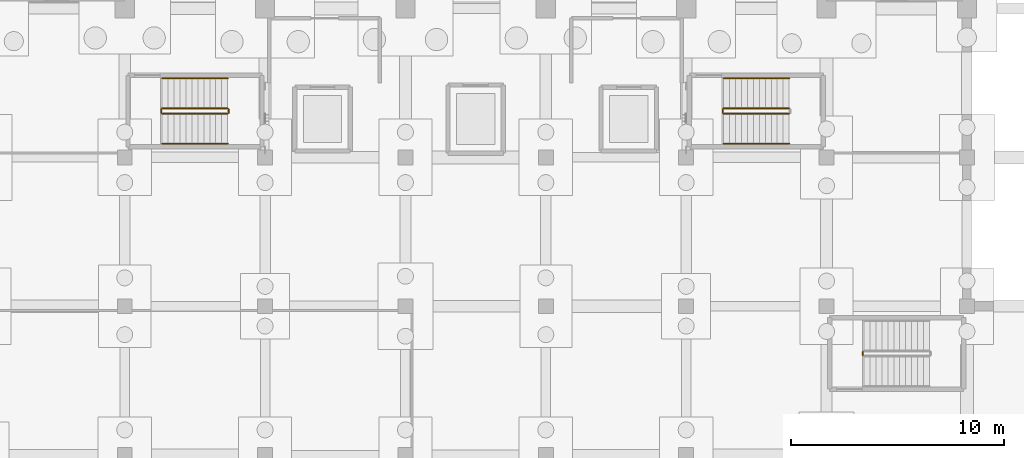
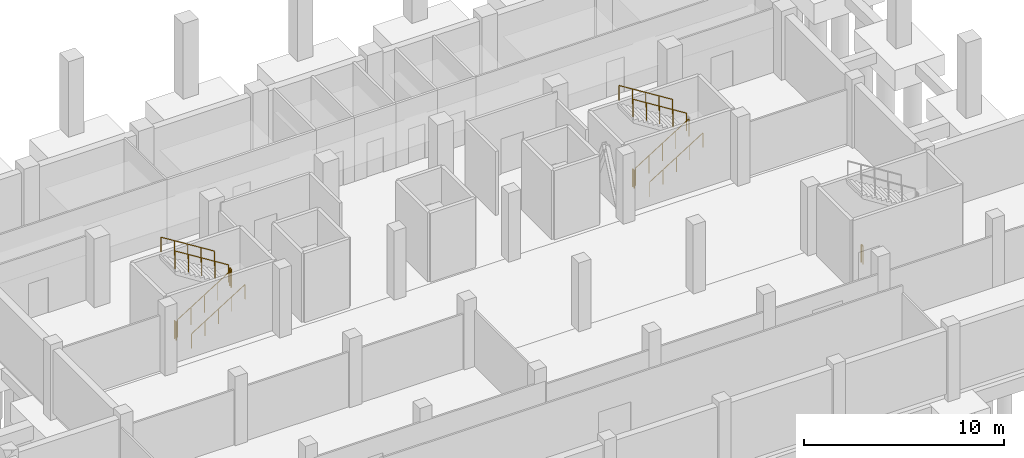
# One storey, part 24 of 27: 12 railings.
"""IFC4 building model written with IfcOpenShell, lengths in metres."""

from ifc_helpers import new_model, si_unit, direction, frame, origin, origin_2d, place, context, subcontext, project, spatial, circle, extrude, material, type_object, element, save


model = new_model("IFC4")

# Units and contexts
model_context = context("Model", 3, precision=1e-05, world=origin(), true_north=direction((0.0, 1.0)))
body_context = subcontext(model_context, "Body", "Model", "MODEL_VIEW")
ifc_project = project(units=[si_unit("LENGTHUNIT", "METRE"), si_unit("AREAUNIT", "SQUARE_METRE"), si_unit("VOLUMEUNIT", "CUBIC_METRE"), si_unit("PLANEANGLEUNIT", "RADIAN"), si_unit("MASSUNIT", "GRAM", prefix="KILO")], contexts=[model_context])

# Site, building, storey
site_placement = place(None, origin())
site = spatial("IfcSite", under=ifc_project, at=site_placement, CompositionType="ELEMENT")
building_placement = place(site_placement, origin())
building = spatial("IfcBuilding", under=site, at=building_placement, Name="Ciguamira Faculty of Natural Sciences", CompositionType="ELEMENT")
storey_placement = place(building_placement, frame((0.0, 0.0, -4.199951171875)))
storey = spatial("IfcBuildingStorey", under=building, at=storey_placement, Name="B1", CompositionType="ELEMENT", Elevation=-4.199951171875)

# Railings
ifc_material_1 = material(Name="Stainless steel balustrade", Category="steel")
railing_type_1 = type_object("IfcRailingType", Name="Guardrail_GR01", PredefinedType="GUARDRAIL", material=ifc_material_1)
railing_1_placement = place(storey_placement, frame((72.260009765625, 96.050048828125, 0.175048828125)))
element("IfcRailing", 1, at=railing_1_placement, inside=storey, type_object=railing_type_1, Name="B1 ST-T1 stair guard 1", PredefinedType="GUARDRAIL", context=body_context, shape_type="SweptSolid", body=[
    extrude(circle(Radius=0.02392578125, at=origin_2d()), frame((0.0, 0.0, 1.076171875), z_axis=(0.848028513186, 0.0, 0.529950602248), x_axis=(0.0, 1.0, 0.0)), (0.0, 0.0, 1.0), 3.632080078125),
    extrude(circle(Radius=0.02099609375, at=origin_2d()), origin(), (0.0, 0.0, 1.0), 1.052001953125),
    extrude(circle(Radius=0.02099609375, at=origin_2d()), frame((0.77001953125, 0.0, 0.481201171875)), (0.0, 0.0, 1.0), 1.052001953125),
    extrude(circle(Radius=0.02099609375, at=origin_2d()), frame((1.5400390625, 0.0, 0.96240234375)), (0.0, 0.0, 1.0), 1.052001953125),
    extrude(circle(Radius=0.02099609375, at=origin_2d()), frame((2.31005859375, 0.0, 1.443603515625)), (0.0, 0.0, 1.0), 1.052001953125),
    extrude(circle(Radius=0.02099609375, at=origin_2d()), frame((3.080078125, 0.0, 1.9248046875)), (0.0, 0.0, 1.0), 1.052001953125),
])
railing_2_placement = place(storey_placement, frame((75.389892578125, 96.10009765625, 2.099853515625)))
element("IfcRailing", 2, at=railing_2_placement, inside=storey, type_object=railing_type_1, Name="B1 ST-T1 stair guard 2", PredefinedType="GUARDRAIL", context=body_context, shape_type="SweptSolid", body=[
    extrude(circle(Radius=0.02392578125, at=origin_2d()), frame((0.0, 0.0, 1.076171875), z_axis=(0.0, 1.0, 0.0), x_axis=(-1.0, 0.0, 0.0)), (0.0, 0.0, 1.0), 0.159912109375),
    extrude(circle(Radius=0.02099609375, at=origin_2d()), origin(), (0.0, 0.0, 1.0), 1.052001953125),
    extrude(circle(Radius=0.02099609375, at=origin_2d()), frame((0.0, 0.159912109375, 0.0)), (0.0, 0.0, 1.0), 1.052001953125),
])
railing_3_placement = place(storey_placement, frame((75.340087890625, 96.31005859375, 2.27490234375)))
element("IfcRailing", 3, at=railing_3_placement, inside=storey, type_object=railing_type_1, Name="B1 ST-T1 stair guard 3", PredefinedType="GUARDRAIL", context=body_context, shape_type="SweptSolid", body=[
    extrude(circle(Radius=0.02392578125, at=origin_2d()), frame((0.0, 0.0, 1.076171875), z_axis=(-0.847998304005, 0.0, 0.529998940003), x_axis=(0.0, -1.0, 0.0)), (0.0, 0.0, 1.0), 3.632080078125),
    extrude(circle(Radius=0.02099609375, at=origin_2d()), origin(), (0.0, 0.0, 1.0), 1.052001953125),
    extrude(circle(Radius=0.02099609375, at=origin_2d()), frame((-0.77001953125, 0.0, 0.481201171875)), (0.0, 0.0, 1.0), 1.052001953125),
    extrude(circle(Radius=0.02099609375, at=origin_2d()), frame((-1.5400390625, 0.0, 0.96240234375)), (0.0, 0.0, 1.0), 1.052001953125),
    extrude(circle(Radius=0.02099609375, at=origin_2d()), frame((-2.31005859375, 0.0, 1.44384765625)), (0.0, 0.0, 1.0), 1.052001953125),
    extrude(circle(Radius=0.02099609375, at=origin_2d()), frame((-3.080078125, 0.0, 1.925048828125)), (0.0, 0.0, 1.0), 1.052001953125),
])
railing_4_placement = place(storey_placement, frame((72.2099609375, 96.10009765625, 0.0)))
element("IfcRailing", 4, at=railing_4_placement, inside=storey, type_object=railing_type_1, Name="B1 ST-T1 stair guard 4", PredefinedType="GUARDRAIL", context=body_context, shape_type="SweptSolid", body=[
    extrude(circle(Radius=0.02392578125, at=origin_2d()), frame((0.0, 0.0, 1.076171875), z_axis=(0.0, 1.0, 0.0), x_axis=(-1.0, 0.0, 0.0)), (0.0, 0.0, 1.0), 0.159912109375),
    extrude(circle(Radius=0.02099609375, at=origin_2d()), origin(), (0.0, 0.0, 1.0), 1.052001953125),
    extrude(circle(Radius=0.02099609375, at=origin_2d()), frame((0.0, 0.159912109375, 0.0)), (0.0, 0.0, 1.0), 1.052001953125),
])
railing_5_placement = place(storey_placement, frame((98.659912109375, 96.050048828125, 0.175048828125)))
element("IfcRailing", 5, at=railing_5_placement, inside=storey, type_object=railing_type_1, Name="B1 ST-T2 stair guard 1", PredefinedType="GUARDRAIL", context=body_context, shape_type="SweptSolid", body=[
    extrude(circle(Radius=0.02392578125, at=origin_2d()), frame((0.0, 0.0, 1.076171875), z_axis=(0.848028513186, 0.0, 0.529950602248), x_axis=(0.0, 1.0, 0.0)), (0.0, 0.0, 1.0), 3.632080078125),
    extrude(circle(Radius=0.02099609375, at=origin_2d()), origin(), (0.0, 0.0, 1.0), 1.052001953125),
    extrude(circle(Radius=0.02099609375, at=origin_2d()), frame((0.77001953125, 0.0, 0.481201171875)), (0.0, 0.0, 1.0), 1.052001953125),
    extrude(circle(Radius=0.02099609375, at=origin_2d()), frame((1.5400390625, 0.0, 0.96240234375)), (0.0, 0.0, 1.0), 1.052001953125),
    extrude(circle(Radius=0.02099609375, at=origin_2d()), frame((2.31005859375, 0.0, 1.443603515625)), (0.0, 0.0, 1.0), 1.052001953125),
    extrude(circle(Radius=0.02099609375, at=origin_2d()), frame((3.080078125, 0.0, 1.9248046875)), (0.0, 0.0, 1.0), 1.052001953125),
])
railing_6_placement = place(storey_placement, frame((101.739990234375, 96.31005859375, 2.27490234375)))
element("IfcRailing", 6, at=railing_6_placement, inside=storey, type_object=railing_type_1, Name="B1 ST-T2 stair guard 3", PredefinedType="GUARDRAIL", context=body_context, shape_type="SweptSolid", body=[
    extrude(circle(Radius=0.02392578125, at=origin_2d()), frame((0.0, 0.0, 1.076171875), z_axis=(-0.847998304005, 0.0, 0.529998940003), x_axis=(0.0, -1.0, 0.0)), (0.0, 0.0, 1.0), 3.632080078125),
    extrude(circle(Radius=0.02099609375, at=origin_2d()), origin(), (0.0, 0.0, 1.0), 1.052001953125),
    extrude(circle(Radius=0.02099609375, at=origin_2d()), frame((-0.77001953125, 0.0, 0.481201171875)), (0.0, 0.0, 1.0), 1.052001953125),
    extrude(circle(Radius=0.02099609375, at=origin_2d()), frame((-1.5400390625, 0.0, 0.96240234375)), (0.0, 0.0, 1.0), 1.052001953125),
    extrude(circle(Radius=0.02099609375, at=origin_2d()), frame((-2.31005859375, 0.0, 1.44384765625)), (0.0, 0.0, 1.0), 1.052001953125),
    extrude(circle(Radius=0.02099609375, at=origin_2d()), frame((-3.080078125, 0.0, 1.925048828125)), (0.0, 0.0, 1.0), 1.052001953125),
])
railing_7_placement = place(storey_placement, frame((98.610107421875, 96.10009765625, 0.0)))
element("IfcRailing", 7, at=railing_7_placement, inside=storey, type_object=railing_type_1, Name="B1 ST-T2 stair guard 4", PredefinedType="GUARDRAIL", context=body_context, shape_type="SweptSolid", body=[
    extrude(circle(Radius=0.02392578125, at=origin_2d()), frame((0.0, 0.0, 1.076171875), z_axis=(0.0, 1.0, 0.0), x_axis=(-1.0, 0.0, 0.0)), (0.0, 0.0, 1.0), 0.159912109375),
    extrude(circle(Radius=0.02099609375, at=origin_2d()), origin(), (0.0, 0.0, 1.0), 1.052001953125),
    extrude(circle(Radius=0.02099609375, at=origin_2d()), frame((0.0, 0.159912109375, 0.0)), (0.0, 0.0, 1.0), 1.052001953125),
])
railing_8_placement = place(storey_placement, frame((105.2099609375, 84.699951171875, 0.0)))
element("IfcRailing", 8, at=railing_8_placement, inside=storey, type_object=railing_type_1, Name="B1 ST-W2 stair guard 4", PredefinedType="GUARDRAIL", context=body_context, shape_type="SweptSolid", body=[
    extrude(circle(Radius=0.02392578125, at=origin_2d()), frame((0.0, 0.0, 1.076171875), z_axis=(0.0, 1.0, 0.0), x_axis=(-1.0, 0.0, 0.0)), (0.0, 0.0, 1.0), 0.16015625),
    extrude(circle(Radius=0.02099609375, at=origin_2d()), origin(), (0.0, 0.0, 1.0), 1.052001953125),
    extrude(circle(Radius=0.02099609375, at=origin_2d()), frame((0.0, 0.16015625, 0.0)), (0.0, 0.0, 1.0), 1.052001953125),
])
ifc_material_2 = material(Name="Stainless steel handrail", Category="steel")
railing_type_2 = type_object("IfcRailingType", Name="Handrail_HR01", PredefinedType="HANDRAIL", material=ifc_material_2)
railing_9_placement = place(storey_placement, frame((72.260009765625, 94.64990234375, 0.349853515625)))
element("IfcRailing", 9, at=railing_9_placement, inside=storey, type_object=railing_type_2, Name="B1 ST-T1 stair handrail 1", PredefinedType="HANDRAIL", context=body_context, shape_type="SweptSolid", body=[
    extrude(circle(Radius=0.02392578125, at=origin_2d()), frame((0.0, 0.0, 0.89111328125), z_axis=(0.847998304005, 0.0, 0.529998940003), x_axis=(0.0, 1.0, 0.0)), (0.0, 0.0, 1.0), 3.632080078125),
    extrude(circle(Radius=0.02099609375, at=origin_2d()), origin(), (0.0, 0.0, 1.0), 0.866943359375),
    extrude(circle(Radius=0.02099609375, at=origin_2d()), frame((0.77001953125, 0.0, 0.481201171875)), (0.0, 0.0, 1.0), 0.866943359375),
    extrude(circle(Radius=0.02099609375, at=origin_2d()), frame((1.5400390625, 0.0, 0.96240234375)), (0.0, 0.0, 1.0), 0.866943359375),
    extrude(circle(Radius=0.02099609375, at=origin_2d()), frame((2.31005859375, 0.0, 1.44384765625)), (0.0, 0.0, 1.0), 0.866943359375),
    extrude(circle(Radius=0.02099609375, at=origin_2d()), frame((3.080078125, 0.0, 1.925048828125)), (0.0, 0.0, 1.0), 0.866943359375),
])
railing_10_placement = place(storey_placement, frame((75.340087890625, 97.7099609375, 2.449951171875)))
element("IfcRailing", 10, at=railing_10_placement, inside=storey, type_object=railing_type_2, Name="B1 ST-T1 stair handrail 2", PredefinedType="HANDRAIL", context=body_context, shape_type="SweptSolid", body=[
    extrude(circle(Radius=0.02392578125, at=origin_2d()), frame((0.0, 0.0, 0.89111328125), z_axis=(-0.847998304005, 0.0, 0.529998940003), x_axis=(0.0, -1.0, 0.0)), (0.0, 0.0, 1.0), 3.632080078125),
    extrude(circle(Radius=0.02099609375, at=origin_2d()), origin(), (0.0, 0.0, 1.0), 0.866943359375),
    extrude(circle(Radius=0.02099609375, at=origin_2d()), frame((-0.77001953125, 0.0, 0.481201171875)), (0.0, 0.0, 1.0), 0.866943359375),
    extrude(circle(Radius=0.02099609375, at=origin_2d()), frame((-1.5400390625, 0.0, 0.96240234375)), (0.0, 0.0, 1.0), 0.866943359375),
    extrude(circle(Radius=0.02099609375, at=origin_2d()), frame((-2.31005859375, 0.0, 1.44384765625)), (0.0, 0.0, 1.0), 0.866943359375),
    extrude(circle(Radius=0.02099609375, at=origin_2d()), frame((-3.080078125, 0.0, 1.925048828125)), (0.0, 0.0, 1.0), 0.866943359375),
])
railing_11_placement = place(storey_placement, frame((98.659912109375, 94.64990234375, 0.349853515625)))
element("IfcRailing", 11, at=railing_11_placement, inside=storey, type_object=railing_type_2, Name="B1 ST-T2 stair handrail 1", PredefinedType="HANDRAIL", context=body_context, shape_type="SweptSolid", body=[
    extrude(circle(Radius=0.02392578125, at=origin_2d()), frame((0.0, 0.0, 0.89111328125), z_axis=(0.847998304005, 0.0, 0.529998940003), x_axis=(0.0, 1.0, 0.0)), (0.0, 0.0, 1.0), 3.632080078125),
    extrude(circle(Radius=0.02099609375, at=origin_2d()), origin(), (0.0, 0.0, 1.0), 0.866943359375),
    extrude(circle(Radius=0.02099609375, at=origin_2d()), frame((0.77001953125, 0.0, 0.481201171875)), (0.0, 0.0, 1.0), 0.866943359375),
    extrude(circle(Radius=0.02099609375, at=origin_2d()), frame((1.5400390625, 0.0, 0.96240234375)), (0.0, 0.0, 1.0), 0.866943359375),
    extrude(circle(Radius=0.02099609375, at=origin_2d()), frame((2.31005859375, 0.0, 1.44384765625)), (0.0, 0.0, 1.0), 0.866943359375),
    extrude(circle(Radius=0.02099609375, at=origin_2d()), frame((3.080078125, 0.0, 1.925048828125)), (0.0, 0.0, 1.0), 0.866943359375),
])
railing_12_placement = place(storey_placement, frame((101.739990234375, 97.7099609375, 2.449951171875)))
element("IfcRailing", 12, at=railing_12_placement, inside=storey, type_object=railing_type_2, Name="B1 ST-T2 stair handrail 2", PredefinedType="HANDRAIL", context=body_context, shape_type="SweptSolid", body=[
    extrude(circle(Radius=0.02392578125, at=origin_2d()), frame((0.0, 0.0, 0.89111328125), z_axis=(-0.847998304005, 0.0, 0.529998940003), x_axis=(0.0, -1.0, 0.0)), (0.0, 0.0, 1.0), 3.632080078125),
    extrude(circle(Radius=0.02099609375, at=origin_2d()), origin(), (0.0, 0.0, 1.0), 0.866943359375),
    extrude(circle(Radius=0.02099609375, at=origin_2d()), frame((-0.77001953125, 0.0, 0.481201171875)), (0.0, 0.0, 1.0), 0.866943359375),
    extrude(circle(Radius=0.02099609375, at=origin_2d()), frame((-1.5400390625, 0.0, 0.96240234375)), (0.0, 0.0, 1.0), 0.866943359375),
    extrude(circle(Radius=0.02099609375, at=origin_2d()), frame((-2.31005859375, 0.0, 1.44384765625)), (0.0, 0.0, 1.0), 0.866943359375),
    extrude(circle(Radius=0.02099609375, at=origin_2d()), frame((-3.080078125, 0.0, 1.925048828125)), (0.0, 0.0, 1.0), 0.866943359375),
])

save(model, "model.ifc")
